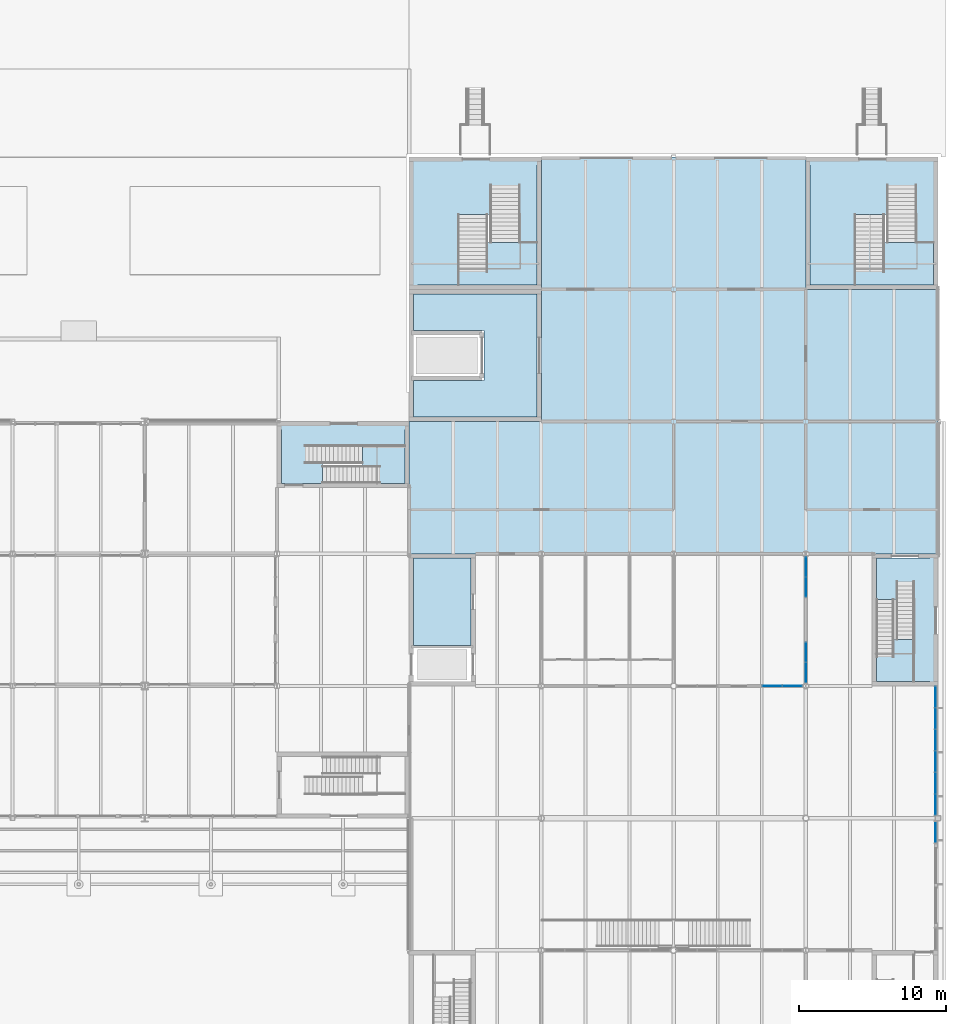
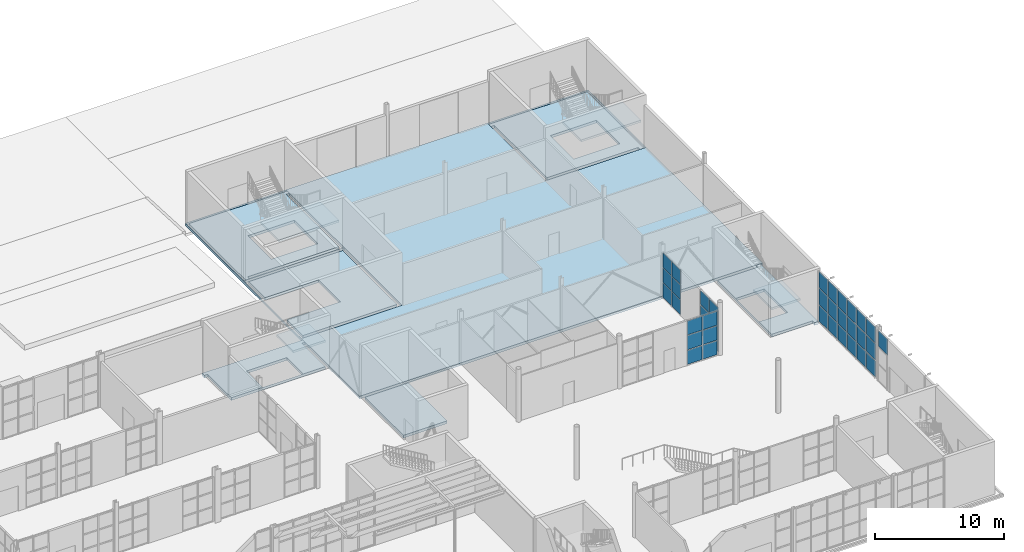
# One storey, part 34 of 63: 37 plates, 11 slabs, 9 elements without a shape of their own.
"""IFC4 building model written with IfcOpenShell, lengths in metres."""

from ifc_helpers import new_model, si_unit, direction, frame, origin, origin_2d, place, context, subcontext, project, spatial, polyline, rectangle, outline, extrude, material, layer, layer_set, type_object, element, aggregate, save


model = new_model("IFC4")

# Units and contexts
model_context = context("Model", 3, precision=1e-05, world=origin(), true_north=direction((0.0, 1.0)))
body_context = subcontext(model_context, "Body", "Model", "MODEL_VIEW")
ifc_project = project(units=[si_unit("LENGTHUNIT", "METRE"), si_unit("AREAUNIT", "SQUARE_METRE"), si_unit("VOLUMEUNIT", "CUBIC_METRE"), si_unit("PLANEANGLEUNIT", "RADIAN"), si_unit("MASSUNIT", "GRAM", prefix="KILO")], contexts=[model_context])

# Site, building, storey
site_placement = place(None, origin())
site = spatial("IfcSite", under=ifc_project, at=site_placement, CompositionType="ELEMENT")
building_placement = place(site_placement, origin())
building = spatial("IfcBuilding", under=site, at=building_placement, Name="Halyard Row Museum", CompositionType="ELEMENT")
storey_placement = place(building_placement, origin())
storey = spatial("IfcBuildingStorey", under=building, at=storey_placement, Name="L00", CompositionType="ELEMENT", Elevation=0.0)

# Slabs
ifc_material_1 = material(Name="Concrete 40 MPa", Category="concrete")
ifc_layer_1 = layer(ifc_material_1, 0.25)
ifc_layer_set_1 = layer_set([ifc_layer_1], Name="Concrete 40 MPa")
slab_type_1 = type_object("IfcSlabType", Name="Composite floor slab heavy duty", PredefinedType="FLOOR", material=ifc_layer_set_1)
slab_1_placement = place(storey_placement, frame((0.0, 0.0, -0.25)))
element("IfcSlab", 1, at=slab_1_placement, inside=storey, type_object=slab_type_1, Name="Floor slab L00-04", PredefinedType="FLOOR", context=body_context, shape_type="SweptSolid", body=[
    extrude(outline(polyline([(72.0, 36.0), (108.0, 36.0), (108.0, 63.0), (72.0, 63.0), (72.0, 36.0)]), holes=[polyline([(72.0048828125, 45.0048828125), (72.0048828125, 53.9951171875), (80.9951171875, 53.9951171875), (80.9951171875, 45.0048828125), (72.0048828125, 45.0048828125)]), polyline([(72.0048828125, 54.0048828125), (72.0048828125, 62.9951171875), (80.9951171875, 62.9951171875), (80.9951171875, 54.0048828125), (72.0048828125, 54.0048828125)]), polyline([(99.0048828125, 54.0048828125), (99.0048828125, 62.9951171875), (107.9951171875, 62.9951171875), (107.9951171875, 54.0048828125), (99.0048828125, 54.0048828125)])]), origin(), (0.0, 0.0, 1.0), 0.25),
])
ifc_material_2 = material(Name="Concrete 40 MPa", Category="concrete")
ifc_layer_2 = layer(ifc_material_2, 0.25)
ifc_layer_set_2 = layer_set([ifc_layer_2], Name="Concrete 40 MPa")
slab_type_2 = type_object("IfcSlabType", Name="Core floor slab 250", PredefinedType="FLOOR", material=ifc_layer_set_2)
slab_2_placement = place(storey_placement, frame((0.0, 0.0, -0.25)))
element("IfcSlab", 2, at=slab_2_placement, inside=storey, type_object=slab_type_2, Name="Core floor K1B L00", PredefinedType="FLOOR", context=body_context, shape_type="SweptSolid", body=[
    extrude(outline(polyline([(63.300048828125, 40.800048828125), (71.699951171875, 40.800048828125), (71.699951171875, 44.449951171875), (71.9951171875, 44.449951171875), (71.9951171875, 44.800048828125), (63.0048828125, 44.800048828125), (63.0048828125, 44.449951171875), (63.300048828125, 44.449951171875), (63.300048828125, 40.800048828125)]), holes=[polyline([(69.737060546875, 43.346923828125), (69.737060546875, 40.802978515625), (66.10302734375, 40.802978515625), (66.10302734375, 43.346923828125), (69.737060546875, 43.346923828125)])]), origin(), (0.0, 0.0, 1.0), 0.25),
])
slab_3_placement = place(storey_placement, frame((0.0, 0.0, -0.25)))
element("IfcSlab", 3, at=slab_3_placement, inside=storey, type_object=slab_type_2, Name="Core floor K2C L00", PredefinedType="FLOOR", context=body_context, shape_type="SweptSolid", body=[
    extrude(outline(polyline([(107.449951171875, 35.9951171875), (107.449951171875, 35.699951171875), (103.800048828125, 35.699951171875), (103.800048828125, 27.300048828125), (107.449951171875, 27.300048828125), (107.449951171875, 27.0048828125), (107.800048828125, 27.0048828125), (107.800048828125, 35.9951171875), (107.449951171875, 35.9951171875)]), holes=[polyline([(106.346923828125, 29.262939453125), (103.802978515625, 29.262939453125), (103.802978515625, 32.89697265625), (106.346923828125, 32.89697265625), (106.346923828125, 29.262939453125)])]), origin(), (0.0, 0.0, 1.0), 0.25),
])
slab_4_placement = place(storey_placement, frame((0.0, 0.0, -0.25)))
element("IfcSlab", 4, at=slab_4_placement, inside=storey, type_object=slab_type_2, Name="Core floor K5A L00", PredefinedType="FLOOR", context=body_context, shape_type="SweptSolid", body=[
    extrude(outline(polyline([(72.199951171875, 62.800048828125), (72.199951171875, 54.0048828125), (72.550048828125, 54.0048828125), (72.550048828125, 54.300048828125), (80.699951171875, 54.300048828125), (80.699951171875, 62.449951171875), (80.9951171875, 62.449951171875), (80.9951171875, 62.800048828125), (72.199951171875, 62.800048828125)]), holes=[polyline([(79.4970703125, 55.462890625), (75.35302734375, 55.462890625), (75.35302734375, 59.096923828125), (79.4970703125, 59.096923828125), (79.4970703125, 55.462890625)])]), origin(), (0.0, 0.0, 1.0), 0.25),
])
slab_5_placement = place(storey_placement, frame((0.0, 0.0, -0.25)))
element("IfcSlab", 5, at=slab_5_placement, inside=storey, type_object=slab_type_2, Name="Core floor K5B L00", PredefinedType="FLOOR", context=body_context, shape_type="SweptSolid", body=[
    extrude(outline(polyline([(107.800048828125, 62.800048828125), (99.0048828125, 62.800048828125), (99.0048828125, 62.449951171875), (99.300048828125, 62.449951171875), (99.300048828125, 54.300048828125), (107.449951171875, 54.300048828125), (107.449951171875, 54.0048828125), (107.800048828125, 54.0048828125), (107.800048828125, 62.800048828125)]), holes=[polyline([(106.4970703125, 55.462890625), (102.35302734375, 55.462890625), (102.35302734375, 59.096923828125), (106.4970703125, 59.096923828125), (106.4970703125, 55.462890625)])]), origin(), (0.0, 0.0, 1.0), 0.25),
])
slab_6_placement = place(storey_placement, frame((0.0, 0.0, -0.25)))
element("IfcSlab", 6, at=slab_6_placement, inside=storey, type_object=slab_type_2, Name="Core floor K8 L00", PredefinedType="FLOOR", context=body_context, shape_type="SweptSolid", body=[
    extrude(outline(polyline([(80.699951171875, 53.699951171875), (72.300048828125, 53.699951171875), (72.300048828125, 51.199951171875), (77.10009765625, 51.199951171875), (77.10009765625, 47.800048828125), (72.300048828125, 47.800048828125), (72.300048828125, 45.300048828125), (80.699951171875, 45.300048828125), (80.699951171875, 53.699951171875)])), origin(), (0.0, 0.0, 1.0), 0.25),
])
slab_7_placement = place(storey_placement, frame((0.0, 0.0, -0.25)))
element("IfcSlab", 7, at=slab_7_placement, inside=storey, type_object=slab_type_2, Name="Core floor K7 L00", PredefinedType="FLOOR", context=body_context, shape_type="SweptSolid", body=[
    extrude(outline(polyline([(76.199951171875, 35.699951171875), (72.300048828125, 35.699951171875), (72.300048828125, 29.75), (76.199951171875, 29.75), (76.199951171875, 35.699951171875)])), origin(), (0.0, 0.0, 1.0), 0.25),
])

# Curtain wall, plates
ifc_material_3 = material(Name="Double glazed unit, low-emissivity", Category="glass")
ifc_layer_3 = layer(ifc_material_3, 0.179931640625)
ifc_layer_set_3 = layer_set([ifc_layer_3], Name="Double glazed unit, low-emissivity")
curtain_wall_type_1 = type_object("IfcCurtainWallType", Name="Curtain wall stick 180 deep", PredefinedType="NOTDEFINED", material=ifc_layer_set_3)
curtain_wall_1_placement = place(storey_placement, origin())
curtain_wall_1 = element("IfcCurtainWall", 8, at=curtain_wall_1_placement, inside=storey, type_object=curtain_wall_type_1, Name="Curtain wall CW139", PredefinedType="NOTDEFINED")
ifc_material_4 = material(Name="Double glazed unit, low-emissivity", Category="glass")
ifc_layer_4 = layer(ifc_material_4, 0.028076171875)
ifc_layer_set_4 = layer_set([ifc_layer_4], Name="Double glazed unit, low-emissivity")
plate_type_1 = type_object("IfcPlateType", Name="Curtain wall glazed panel CP2 28", PredefinedType="CURTAIN_PANEL", material=ifc_layer_set_4)
plate_1_placement = place(storey_placement, frame((96.714111328125, 27.0, 0.06005859375), z_axis=(0.0, 0.0, 1.0), x_axis=(1.0, 0.0, 0.0)))
plate_1 = element("IfcPlate", 9, at=plate_1_placement, type_object=plate_type_1, Name="CW139 panel 1.1", PredefinedType="CURTAIN_PANEL", context=body_context, shape_type="SweptSolid", body=[
    extrude(rectangle(XDim=1.308349609375, YDim=0.028076171875, at=origin_2d()), origin(), (0.0, 0.0, 1.0), 1.3193359375),
])
plate_2_placement = place(storey_placement, frame((96.714111328125, 27.0, 1.439453125), z_axis=(0.0, 0.0, 1.0), x_axis=(1.0, 0.0, 0.0)))
plate_2 = element("IfcPlate", 10, at=plate_2_placement, type_object=plate_type_1, Name="CW139 panel 1.2", PredefinedType="CURTAIN_PANEL", context=body_context, shape_type="SweptSolid", body=[
    extrude(rectangle(XDim=1.308349609375, YDim=0.028076171875, at=origin_2d()), origin(), (0.0, 0.0, 1.0), 1.349365234375),
])
plate_3_placement = place(storey_placement, frame((96.714111328125, 27.0, 2.8486328125), z_axis=(0.0, 0.0, 1.0), x_axis=(1.0, 0.0, 0.0)))
plate_3 = element("IfcPlate", 11, at=plate_3_placement, type_object=plate_type_1, Name="CW139 panel 1.3", PredefinedType="CURTAIN_PANEL", context=body_context, shape_type="SweptSolid", body=[
    extrude(rectangle(XDim=1.308349609375, YDim=0.028076171875, at=origin_2d()), origin(), (0.0, 0.0, 1.0), 1.3193359375),
])
plate_4_placement = place(storey_placement, frame((98.08251953125, 27.0, 0.06005859375), z_axis=(0.0, 0.0, 1.0), x_axis=(1.0, 0.0, 0.0)))
plate_4 = element("IfcPlate", 12, at=plate_4_placement, type_object=plate_type_1, Name="CW139 panel 2.1", PredefinedType="CURTAIN_PANEL", context=body_context, shape_type="SweptSolid", body=[
    extrude(rectangle(XDim=1.308349609375, YDim=0.028076171875, at=origin_2d()), origin(), (0.0, 0.0, 1.0), 1.3193359375),
])
plate_5_placement = place(storey_placement, frame((98.08251953125, 27.0, 1.439453125), z_axis=(0.0, 0.0, 1.0), x_axis=(1.0, 0.0, 0.0)))
plate_5 = element("IfcPlate", 13, at=plate_5_placement, type_object=plate_type_1, Name="CW139 panel 2.2", PredefinedType="CURTAIN_PANEL", context=body_context, shape_type="SweptSolid", body=[
    extrude(rectangle(XDim=1.308349609375, YDim=0.028076171875, at=origin_2d()), origin(), (0.0, 0.0, 1.0), 1.349365234375),
])
plate_6_placement = place(storey_placement, frame((98.08251953125, 27.0, 2.8486328125), z_axis=(0.0, 0.0, 1.0), x_axis=(1.0, 0.0, 0.0)))
plate_6 = element("IfcPlate", 14, at=plate_6_placement, type_object=plate_type_1, Name="CW139 panel 2.3", PredefinedType="CURTAIN_PANEL", context=body_context, shape_type="SweptSolid", body=[
    extrude(rectangle(XDim=1.308349609375, YDim=0.028076171875, at=origin_2d()), origin(), (0.0, 0.0, 1.0), 1.3193359375),
])
aggregate(curtain_wall_1, [plate_1, plate_2, plate_3, plate_4, plate_5, plate_6])

# Curtain wall, plate
ifc_material_5 = material(Name="Double glazed unit, low-emissivity", Category="glass")
ifc_layer_5 = layer(ifc_material_5, 0.219970703125)
ifc_layer_set_5 = layer_set([ifc_layer_5], Name="Double glazed unit, low-emissivity")
curtain_wall_type_2 = type_object("IfcCurtainWallType", Name="Curtain wall unitised 220 deep", PredefinedType="NOTDEFINED", material=ifc_layer_set_5)
curtain_wall_2_placement = place(storey_placement, origin())
curtain_wall_2 = element("IfcCurtainWall", 15, at=curtain_wall_2_placement, inside=storey, type_object=curtain_wall_type_2, Name="Curtain wall CW007", PredefinedType="NOTDEFINED")
ifc_material_6 = material(Name="Double glazed unit, low-emissivity", Category="glass")
ifc_layer_6 = layer(ifc_material_6, 0.035888671875)
ifc_layer_set_6 = layer_set([ifc_layer_6], Name="Double glazed unit, low-emissivity")
plate_type_2 = type_object("IfcPlateType", Name="Curtain wall glazed panel CP3 36", PredefinedType="CURTAIN_PANEL", material=ifc_layer_set_6)
plate_7_placement = place(storey_placement, frame((107.840087890625, 17.043701171875, 3.25341796875), z_axis=(0.0, 0.0, 1.0), x_axis=(0.0, 1.0, 0.0)))
plate_7 = element("IfcPlate", 16, at=plate_7_placement, type_object=plate_type_2, Name="CW007 panel 1.3", PredefinedType="CURTAIN_PANEL", context=body_context, shape_type="SweptSolid", body=[
    extrude(rectangle(XDim=1.4423828125, YDim=0.035888671875, at=origin_2d()), origin(), (0.0, 0.0, 1.0), 1.521728515625),
])
aggregate(curtain_wall_2, [plate_7])

# Curtain wall, plates
curtain_wall_3_placement = place(storey_placement, origin())
curtain_wall_3 = element("IfcCurtainWall", 17, at=curtain_wall_3_placement, inside=storey, type_object=curtain_wall_type_2, Name="Curtain wall CW008", PredefinedType="NOTDEFINED")
plate_8_placement = place(storey_placement, frame((107.840087890625, 18.925537109375, 0.06005859375), z_axis=(0.0, 0.0, 1.0), x_axis=(0.0, 1.0, 0.0)))
plate_8 = element("IfcPlate", 18, at=plate_8_placement, type_object=plate_type_2, Name="CW008 panel 1.1", PredefinedType="CURTAIN_PANEL", context=body_context, shape_type="SweptSolid", body=[
    extrude(rectangle(XDim=1.380859375, YDim=0.035888671875, at=origin_2d()), origin(), (0.0, 0.0, 1.0), 1.521728515625),
])
plate_9_placement = place(storey_placement, frame((107.840087890625, 18.925537109375, 1.6416015625), z_axis=(0.0, 0.0, 1.0), x_axis=(0.0, 1.0, 0.0)))
plate_9 = element("IfcPlate", 19, at=plate_9_placement, type_object=plate_type_2, Name="CW008 panel 1.2", PredefinedType="CURTAIN_PANEL", context=body_context, shape_type="SweptSolid", body=[
    extrude(rectangle(XDim=1.380859375, YDim=0.035888671875, at=origin_2d()), origin(), (0.0, 0.0, 1.0), 1.5517578125),
])
plate_10_placement = place(storey_placement, frame((107.840087890625, 18.925537109375, 3.25341796875), z_axis=(0.0, 0.0, 1.0), x_axis=(0.0, 1.0, 0.0)))
plate_10 = element("IfcPlate", 20, at=plate_10_placement, type_object=plate_type_2, Name="CW008 panel 1.3", PredefinedType="CURTAIN_PANEL", context=body_context, shape_type="SweptSolid", body=[
    extrude(rectangle(XDim=1.380859375, YDim=0.035888671875, at=origin_2d()), origin(), (0.0, 0.0, 1.0), 1.521728515625),
])
plate_11_placement = place(storey_placement, frame((107.840087890625, 20.38134765625, 0.06005859375), z_axis=(0.0, 0.0, 1.0), x_axis=(0.0, 1.0, 0.0)))
plate_11 = element("IfcPlate", 21, at=plate_11_placement, type_object=plate_type_2, Name="CW008 panel 2.1", PredefinedType="CURTAIN_PANEL", context=body_context, shape_type="SweptSolid", body=[
    extrude(rectangle(XDim=1.410888671875, YDim=0.035888671875, at=origin_2d()), origin(), (0.0, 0.0, 1.0), 1.521728515625),
])
plate_12_placement = place(storey_placement, frame((107.840087890625, 20.38134765625, 1.6416015625), z_axis=(0.0, 0.0, 1.0), x_axis=(0.0, 1.0, 0.0)))
plate_12 = element("IfcPlate", 22, at=plate_12_placement, type_object=plate_type_2, Name="CW008 panel 2.2", PredefinedType="CURTAIN_PANEL", context=body_context, shape_type="SweptSolid", body=[
    extrude(rectangle(XDim=1.410888671875, YDim=0.035888671875, at=origin_2d()), origin(), (0.0, 0.0, 1.0), 1.5517578125),
])
plate_13_placement = place(storey_placement, frame((107.840087890625, 20.38134765625, 3.25341796875), z_axis=(0.0, 0.0, 1.0), x_axis=(0.0, 1.0, 0.0)))
plate_13 = element("IfcPlate", 23, at=plate_13_placement, type_object=plate_type_2, Name="CW008 panel 2.3", PredefinedType="CURTAIN_PANEL", context=body_context, shape_type="SweptSolid", body=[
    extrude(rectangle(XDim=1.410888671875, YDim=0.035888671875, at=origin_2d()), origin(), (0.0, 0.0, 1.0), 1.521728515625),
])
plate_14_placement = place(storey_placement, frame((107.840087890625, 21.85205078125, 0.06005859375), z_axis=(0.0, 0.0, 1.0), x_axis=(0.0, 1.0, 0.0)))
plate_14 = element("IfcPlate", 24, at=plate_14_placement, type_object=plate_type_2, Name="CW008 panel 3.1", PredefinedType="CURTAIN_PANEL", context=body_context, shape_type="SweptSolid", body=[
    extrude(rectangle(XDim=1.410888671875, YDim=0.035888671875, at=origin_2d()), origin(), (0.0, 0.0, 1.0), 1.521728515625),
])
plate_15_placement = place(storey_placement, frame((107.840087890625, 21.85205078125, 1.6416015625), z_axis=(0.0, 0.0, 1.0), x_axis=(0.0, 1.0, 0.0)))
plate_15 = element("IfcPlate", 25, at=plate_15_placement, type_object=plate_type_2, Name="CW008 panel 3.2", PredefinedType="CURTAIN_PANEL", context=body_context, shape_type="SweptSolid", body=[
    extrude(rectangle(XDim=1.410888671875, YDim=0.035888671875, at=origin_2d()), origin(), (0.0, 0.0, 1.0), 1.5517578125),
])
plate_16_placement = place(storey_placement, frame((107.840087890625, 21.85205078125, 3.25341796875), z_axis=(0.0, 0.0, 1.0), x_axis=(0.0, 1.0, 0.0)))
plate_16 = element("IfcPlate", 26, at=plate_16_placement, type_object=plate_type_2, Name="CW008 panel 3.3", PredefinedType="CURTAIN_PANEL", context=body_context, shape_type="SweptSolid", body=[
    extrude(rectangle(XDim=1.410888671875, YDim=0.035888671875, at=origin_2d()), origin(), (0.0, 0.0, 1.0), 1.521728515625),
])
plate_17_placement = place(storey_placement, frame((107.840087890625, 23.322998046875, 0.06005859375), z_axis=(0.0, 0.0, 1.0), x_axis=(0.0, 1.0, 0.0)))
plate_17 = element("IfcPlate", 27, at=plate_17_placement, type_object=plate_type_2, Name="CW008 panel 4.1", PredefinedType="CURTAIN_PANEL", context=body_context, shape_type="SweptSolid", body=[
    extrude(rectangle(XDim=1.410888671875, YDim=0.035888671875, at=origin_2d()), origin(), (0.0, 0.0, 1.0), 1.521728515625),
])
plate_18_placement = place(storey_placement, frame((107.840087890625, 23.322998046875, 1.6416015625), z_axis=(0.0, 0.0, 1.0), x_axis=(0.0, 1.0, 0.0)))
plate_18 = element("IfcPlate", 28, at=plate_18_placement, type_object=plate_type_2, Name="CW008 panel 4.2", PredefinedType="CURTAIN_PANEL", context=body_context, shape_type="SweptSolid", body=[
    extrude(rectangle(XDim=1.410888671875, YDim=0.035888671875, at=origin_2d()), origin(), (0.0, 0.0, 1.0), 1.5517578125),
])
plate_19_placement = place(storey_placement, frame((107.840087890625, 23.322998046875, 3.25341796875), z_axis=(0.0, 0.0, 1.0), x_axis=(0.0, 1.0, 0.0)))
plate_19 = element("IfcPlate", 29, at=plate_19_placement, type_object=plate_type_2, Name="CW008 panel 4.3", PredefinedType="CURTAIN_PANEL", context=body_context, shape_type="SweptSolid", body=[
    extrude(rectangle(XDim=1.410888671875, YDim=0.035888671875, at=origin_2d()), origin(), (0.0, 0.0, 1.0), 1.521728515625),
])
plate_20_placement = place(storey_placement, frame((107.840087890625, 24.793701171875, 0.06005859375), z_axis=(0.0, 0.0, 1.0), x_axis=(0.0, 1.0, 0.0)))
plate_20 = element("IfcPlate", 30, at=plate_20_placement, type_object=plate_type_2, Name="CW008 panel 5.1", PredefinedType="CURTAIN_PANEL", context=body_context, shape_type="SweptSolid", body=[
    extrude(rectangle(XDim=1.410888671875, YDim=0.035888671875, at=origin_2d()), origin(), (0.0, 0.0, 1.0), 1.521728515625),
])
plate_21_placement = place(storey_placement, frame((107.840087890625, 24.793701171875, 1.6416015625), z_axis=(0.0, 0.0, 1.0), x_axis=(0.0, 1.0, 0.0)))
plate_21 = element("IfcPlate", 31, at=plate_21_placement, type_object=plate_type_2, Name="CW008 panel 5.2", PredefinedType="CURTAIN_PANEL", context=body_context, shape_type="SweptSolid", body=[
    extrude(rectangle(XDim=1.410888671875, YDim=0.035888671875, at=origin_2d()), origin(), (0.0, 0.0, 1.0), 1.5517578125),
])
plate_22_placement = place(storey_placement, frame((107.840087890625, 24.793701171875, 3.25341796875), z_axis=(0.0, 0.0, 1.0), x_axis=(0.0, 1.0, 0.0)))
plate_22 = element("IfcPlate", 32, at=plate_22_placement, type_object=plate_type_2, Name="CW008 panel 5.3", PredefinedType="CURTAIN_PANEL", context=body_context, shape_type="SweptSolid", body=[
    extrude(rectangle(XDim=1.410888671875, YDim=0.035888671875, at=origin_2d()), origin(), (0.0, 0.0, 1.0), 1.521728515625),
])
plate_23_placement = place(storey_placement, frame((107.840087890625, 26.24951171875, 0.06005859375), z_axis=(0.0, 0.0, 1.0), x_axis=(0.0, 1.0, 0.0)))
plate_23 = element("IfcPlate", 33, at=plate_23_placement, type_object=plate_type_2, Name="CW008 panel 6.1", PredefinedType="CURTAIN_PANEL", context=body_context, shape_type="SweptSolid", body=[
    extrude(rectangle(XDim=1.380859375, YDim=0.035888671875, at=origin_2d()), origin(), (0.0, 0.0, 1.0), 1.521728515625),
])
plate_24_placement = place(storey_placement, frame((107.840087890625, 26.24951171875, 1.6416015625), z_axis=(0.0, 0.0, 1.0), x_axis=(0.0, 1.0, 0.0)))
plate_24 = element("IfcPlate", 34, at=plate_24_placement, type_object=plate_type_2, Name="CW008 panel 6.2", PredefinedType="CURTAIN_PANEL", context=body_context, shape_type="SweptSolid", body=[
    extrude(rectangle(XDim=1.380859375, YDim=0.035888671875, at=origin_2d()), origin(), (0.0, 0.0, 1.0), 1.5517578125),
])
plate_25_placement = place(storey_placement, frame((107.840087890625, 26.24951171875, 3.25341796875), z_axis=(0.0, 0.0, 1.0), x_axis=(0.0, 1.0, 0.0)))
plate_25 = element("IfcPlate", 35, at=plate_25_placement, type_object=plate_type_2, Name="CW008 panel 6.3", PredefinedType="CURTAIN_PANEL", context=body_context, shape_type="SweptSolid", body=[
    extrude(rectangle(XDim=1.380859375, YDim=0.035888671875, at=origin_2d()), origin(), (0.0, 0.0, 1.0), 1.521728515625),
])
aggregate(curtain_wall_3, [plate_8, plate_9, plate_10, plate_11, plate_12, plate_13, plate_14, plate_15, plate_16, plate_17, plate_18, plate_19, plate_20, plate_21, plate_22, plate_23, plate_24, plate_25])

ifc_material_7 = material(Name="Fire-resisting laminated glazing", Category="glass")
ifc_layer_7 = layer(ifc_material_7, 0.159912109375)
ifc_layer_set_7 = layer_set([ifc_layer_7], Name="Fire-resisting laminated glazing")
curtain_wall_type_3 = type_object("IfcCurtainWallType", Name="Curtain wall atrium screen 160 deep", PredefinedType="NOTDEFINED", material=ifc_layer_set_7)
curtain_wall_4_placement = place(storey_placement, origin())
curtain_wall_4 = element("IfcCurtainWall", 36, at=curtain_wall_4_placement, inside=storey, type_object=curtain_wall_type_3, Name="Curtain wall CW140", PredefinedType="NOTDEFINED")
ifc_material_8 = material(Name="Fire-resisting laminated glazing", Category="glass")
ifc_layer_8 = layer(ifc_material_8, 0.0400390625)
ifc_layer_set_8 = layer_set([ifc_layer_8], Name="Fire-resisting laminated glazing")
plate_type_3 = type_object("IfcPlateType", Name="Curtain wall glazed panel CP5 40", PredefinedType="CURTAIN_PANEL", material=ifc_layer_set_8)
plate_26_placement = place(storey_placement, frame((99.0, 27.921630859375, 0.06005859375), z_axis=(0.0, 0.0, 1.0), x_axis=(0.0, 1.0, 0.0)))
plate_26 = element("IfcPlate", 37, at=plate_26_placement, type_object=plate_type_3, Name="CW140 panel 1.1", PredefinedType="CURTAIN_PANEL", context=body_context, shape_type="SweptSolid", body=[
    extrude(rectangle(XDim=1.31689453125, YDim=0.0400390625, at=origin_2d()), origin(), (0.0, 0.0, 1.0), 1.343994140625),
])
plate_27_placement = place(storey_placement, frame((99.0, 27.921630859375, 1.4638671875), z_axis=(0.0, 0.0, 1.0), x_axis=(0.0, 1.0, 0.0)))
plate_27 = element("IfcPlate", 38, at=plate_27_placement, type_object=plate_type_3, Name="CW140 panel 1.2", PredefinedType="CURTAIN_PANEL", context=body_context, shape_type="SweptSolid", body=[
    extrude(rectangle(XDim=1.31689453125, YDim=0.0400390625, at=origin_2d()), origin(), (0.0, 0.0, 1.0), 1.3740234375),
])
plate_28_placement = place(storey_placement, frame((99.0, 27.921630859375, 2.89794921875), z_axis=(0.0, 0.0, 1.0), x_axis=(0.0, 1.0, 0.0)))
plate_28 = element("IfcPlate", 39, at=plate_28_placement, type_object=plate_type_3, Name="CW140 panel 1.3", PredefinedType="CURTAIN_PANEL", context=body_context, shape_type="SweptSolid", body=[
    extrude(rectangle(XDim=1.31689453125, YDim=0.0400390625, at=origin_2d()), origin(), (0.0, 0.0, 1.0), 1.343994140625),
])
plate_29_placement = place(storey_placement, frame((99.0, 29.29833984375, 0.06005859375), z_axis=(0.0, 0.0, 1.0), x_axis=(0.0, 1.0, 0.0)))
plate_29 = element("IfcPlate", 40, at=plate_29_placement, type_object=plate_type_3, Name="CW140 panel 2.1", PredefinedType="CURTAIN_PANEL", context=body_context, shape_type="SweptSolid", body=[
    extrude(rectangle(XDim=1.31689453125, YDim=0.0400390625, at=origin_2d()), origin(), (0.0, 0.0, 1.0), 1.343994140625),
])
plate_30_placement = place(storey_placement, frame((99.0, 29.29833984375, 1.4638671875), z_axis=(0.0, 0.0, 1.0), x_axis=(0.0, 1.0, 0.0)))
plate_30 = element("IfcPlate", 41, at=plate_30_placement, type_object=plate_type_3, Name="CW140 panel 2.2", PredefinedType="CURTAIN_PANEL", context=body_context, shape_type="SweptSolid", body=[
    extrude(rectangle(XDim=1.31689453125, YDim=0.0400390625, at=origin_2d()), origin(), (0.0, 0.0, 1.0), 1.3740234375),
])
plate_31_placement = place(storey_placement, frame((99.0, 29.29833984375, 2.89794921875), z_axis=(0.0, 0.0, 1.0), x_axis=(0.0, 1.0, 0.0)))
plate_31 = element("IfcPlate", 42, at=plate_31_placement, type_object=plate_type_3, Name="CW140 panel 2.3", PredefinedType="CURTAIN_PANEL", context=body_context, shape_type="SweptSolid", body=[
    extrude(rectangle(XDim=1.31689453125, YDim=0.0400390625, at=origin_2d()), origin(), (0.0, 0.0, 1.0), 1.343994140625),
])
aggregate(curtain_wall_4, [plate_26, plate_27, plate_28, plate_29, plate_30, plate_31])

curtain_wall_5_placement = place(storey_placement, origin())
curtain_wall_5 = element("IfcCurtainWall", 43, at=curtain_wall_5_placement, inside=storey, type_object=curtain_wall_type_3, Name="Curtain wall CW141", PredefinedType="NOTDEFINED")
plate_32_placement = place(storey_placement, frame((99.0, 33.7353515625, 0.06005859375), z_axis=(0.0, 0.0, 1.0), x_axis=(0.0, 1.0, 0.0)))
plate_32 = element("IfcPlate", 44, at=plate_32_placement, type_object=plate_type_3, Name="CW141 panel 1.1", PredefinedType="CURTAIN_PANEL", context=body_context, shape_type="SweptSolid", body=[
    extrude(rectangle(XDim=1.31689453125, YDim=0.0400390625, at=origin_2d()), origin(), (0.0, 0.0, 1.0), 1.343994140625),
])
plate_33_placement = place(storey_placement, frame((99.0, 33.7353515625, 1.4638671875), z_axis=(0.0, 0.0, 1.0), x_axis=(0.0, 1.0, 0.0)))
plate_33 = element("IfcPlate", 45, at=plate_33_placement, type_object=plate_type_3, Name="CW141 panel 1.2", PredefinedType="CURTAIN_PANEL", context=body_context, shape_type="SweptSolid", body=[
    extrude(rectangle(XDim=1.31689453125, YDim=0.0400390625, at=origin_2d()), origin(), (0.0, 0.0, 1.0), 1.3740234375),
])
plate_34_placement = place(storey_placement, frame((99.0, 33.7353515625, 2.89794921875), z_axis=(0.0, 0.0, 1.0), x_axis=(0.0, 1.0, 0.0)))
plate_34 = element("IfcPlate", 46, at=plate_34_placement, type_object=plate_type_3, Name="CW141 panel 1.3", PredefinedType="CURTAIN_PANEL", context=body_context, shape_type="SweptSolid", body=[
    extrude(rectangle(XDim=1.31689453125, YDim=0.0400390625, at=origin_2d()), origin(), (0.0, 0.0, 1.0), 1.343994140625),
])
plate_35_placement = place(storey_placement, frame((99.0, 35.112060546875, 0.06005859375), z_axis=(0.0, 0.0, 1.0), x_axis=(0.0, 1.0, 0.0)))
plate_35 = element("IfcPlate", 47, at=plate_35_placement, type_object=plate_type_3, Name="CW141 panel 2.1", PredefinedType="CURTAIN_PANEL", context=body_context, shape_type="SweptSolid", body=[
    extrude(rectangle(XDim=1.31689453125, YDim=0.0400390625, at=origin_2d()), origin(), (0.0, 0.0, 1.0), 1.343994140625),
])
plate_36_placement = place(storey_placement, frame((99.0, 35.112060546875, 1.4638671875), z_axis=(0.0, 0.0, 1.0), x_axis=(0.0, 1.0, 0.0)))
plate_36 = element("IfcPlate", 48, at=plate_36_placement, type_object=plate_type_3, Name="CW141 panel 2.2", PredefinedType="CURTAIN_PANEL", context=body_context, shape_type="SweptSolid", body=[
    extrude(rectangle(XDim=1.31689453125, YDim=0.0400390625, at=origin_2d()), origin(), (0.0, 0.0, 1.0), 1.3740234375),
])
plate_37_placement = place(storey_placement, frame((99.0, 35.112060546875, 2.89794921875), z_axis=(0.0, 0.0, 1.0), x_axis=(0.0, 1.0, 0.0)))
plate_37 = element("IfcPlate", 49, at=plate_37_placement, type_object=plate_type_3, Name="CW141 panel 2.3", PredefinedType="CURTAIN_PANEL", context=body_context, shape_type="SweptSolid", body=[
    extrude(rectangle(XDim=1.31689453125, YDim=0.0400390625, at=origin_2d()), origin(), (0.0, 0.0, 1.0), 1.343994140625),
])
aggregate(curtain_wall_5, [plate_32, plate_33, plate_34, plate_35, plate_36, plate_37])

# Stair, slab
ifc_material_9 = material(Name="Concrete 40 MPa", Category="concrete")
stair_type_1 = type_object("IfcStairType", Name="Exit stair two flights 1200", PredefinedType="HALF_TURN_STAIR", material=ifc_material_9)
stair_1_placement = place(storey_placement, origin())
stair_1 = element("IfcStair", 50, at=stair_1_placement, inside=storey, type_object=stair_type_1, Name="Exit stair K1B L00", PredefinedType="HALF_TURN_STAIR")
ifc_material_10 = material(Name="Concrete 40 MPa", Category="concrete")
ifc_layer_9 = layer(ifc_material_10, 0.199951171875)
ifc_layer_set_9 = layer_set([ifc_layer_9], Name="Concrete 40 MPa")
slab_type_3 = type_object("IfcSlabType", Name="Exit stair landing 200", PredefinedType="LANDING", material=ifc_layer_set_9)
slab_8_placement = place(storey_placement, frame((0.0, 0.0, 2.300048828125)))
slab_8 = element("IfcSlab", 51, at=slab_8_placement, type_object=slab_type_3, Name="STK1B-L00 landing 1", PredefinedType="LANDING", context=body_context, shape_type="SweptSolid", body=[
    extrude(outline(polyline([(68.820068359375, 43.35009765625), (68.820068359375, 40.800048828125), (71.699951171875, 40.800048828125), (71.699951171875, 43.35009765625), (68.820068359375, 43.35009765625)])), origin(), (0.0, 0.0, 1.0), 0.199951171875),
])
aggregate(stair_1, [slab_8])

stair_2_placement = place(storey_placement, origin())
stair_2 = element("IfcStair", 52, at=stair_2_placement, inside=storey, type_object=stair_type_1, Name="Exit stair K2C L00", PredefinedType="HALF_TURN_STAIR")
slab_9_placement = place(storey_placement, frame((0.0, 0.0, 2.300048828125)))
slab_9 = element("IfcSlab", 53, at=slab_9_placement, type_object=slab_type_3, Name="STK2C-L00 landing 1", PredefinedType="LANDING", context=body_context, shape_type="SweptSolid", body=[
    extrude(outline(polyline([(106.35009765625, 30.179931640625), (103.800048828125, 30.179931640625), (103.800048828125, 27.300048828125), (106.35009765625, 27.300048828125), (106.35009765625, 30.179931640625)])), origin(), (0.0, 0.0, 1.0), 0.199951171875),
])
aggregate(stair_2, [slab_9])

ifc_material_11 = material(Name="Concrete 40 MPa", Category="concrete")
stair_type_2 = type_object("IfcStairType", Name="Exit stair two flights 2000", PredefinedType="HALF_TURN_STAIR", material=ifc_material_11)
stair_3_placement = place(storey_placement, origin())
stair_3 = element("IfcStair", 54, at=stair_3_placement, inside=storey, type_object=stair_type_2, Name="Exit stair K5A L00", PredefinedType="HALF_TURN_STAIR")
slab_10_placement = place(storey_placement, frame((0.0, 0.0, 2.300048828125)))
slab_10 = element("IfcSlab", 55, at=slab_10_placement, type_object=slab_type_3, Name="STK5A-L00 landing 1", PredefinedType="LANDING", context=body_context, shape_type="SweptSolid", body=[
    extrude(outline(polyline([(80.699951171875, 57.179931640625), (75.35009765625, 57.179931640625), (75.35009765625, 54.300048828125), (80.699951171875, 54.300048828125), (80.699951171875, 57.179931640625)])), origin(), (0.0, 0.0, 1.0), 0.199951171875),
])
aggregate(stair_3, [slab_10])

stair_4_placement = place(storey_placement, origin())
stair_4 = element("IfcStair", 56, at=stair_4_placement, inside=storey, type_object=stair_type_2, Name="Exit stair K5B L00", PredefinedType="HALF_TURN_STAIR")
slab_11_placement = place(storey_placement, frame((0.0, 0.0, 2.300048828125)))
slab_11 = element("IfcSlab", 57, at=slab_11_placement, type_object=slab_type_3, Name="STK5B-L00 landing 1", PredefinedType="LANDING", context=body_context, shape_type="SweptSolid", body=[
    extrude(outline(polyline([(107.699951171875, 57.179931640625), (102.35009765625, 57.179931640625), (102.35009765625, 54.300048828125), (107.699951171875, 54.300048828125), (107.699951171875, 57.179931640625)])), origin(), (0.0, 0.0, 1.0), 0.199951171875),
])
aggregate(stair_4, [slab_11])

save(model, "model.ifc")
